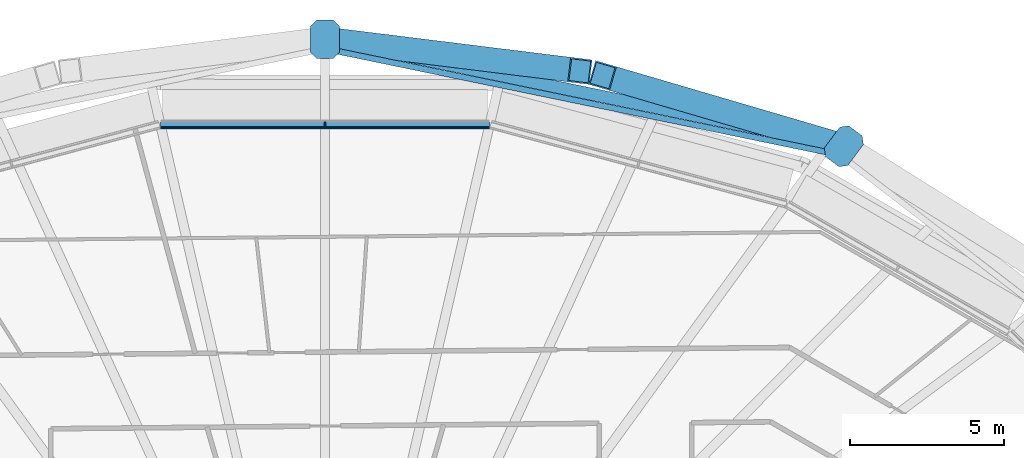
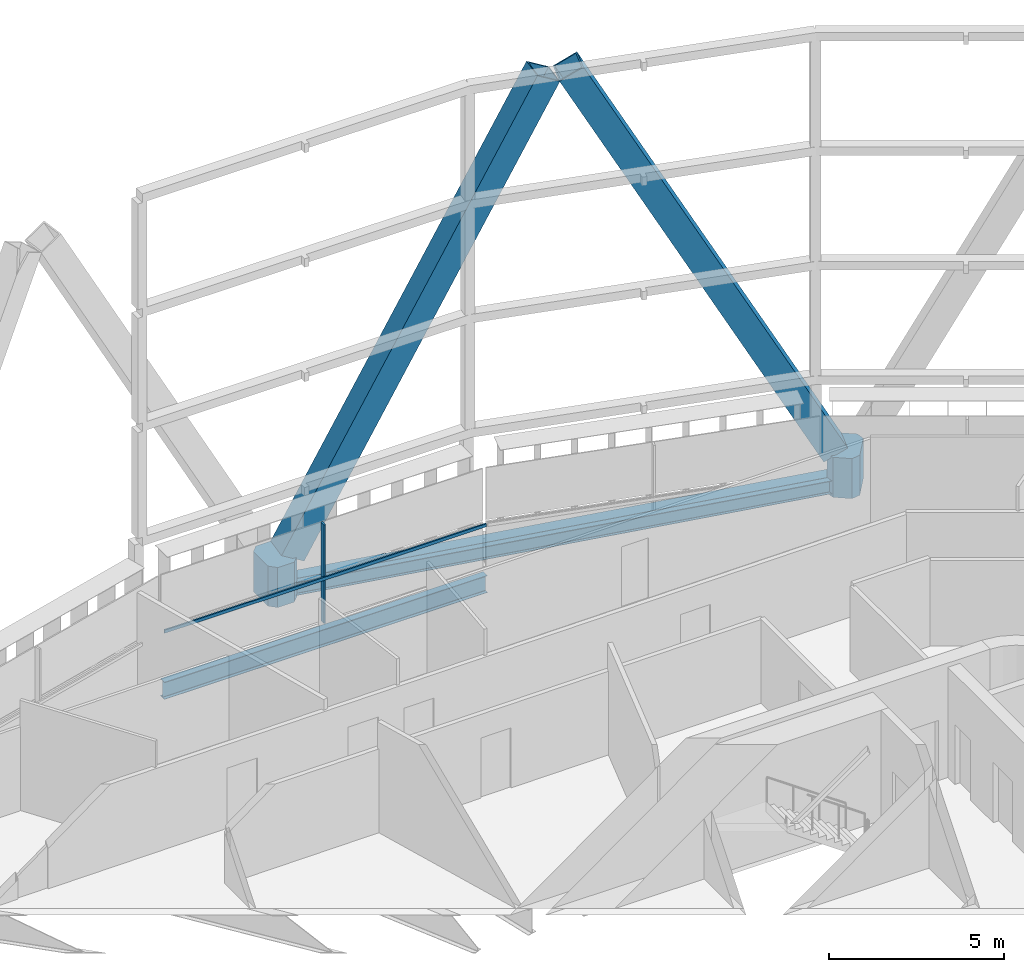
# One storey, part 9 of 25: 6 members, 3 beams, 1 element without a shape of its own.
"""IFC4 building model written with IfcOpenShell, lengths in metres."""

from ifc_helpers import new_model, si_unit, direction, frame, origin, origin_2d, place, context, subcontext, project, spatial, polyline, rectangle, hollow_rectangle, i_section, outline, extrude, material, layer, layer_set, material_profile, profile_set, type_object, element, aggregate, save


model = new_model("IFC4")

# Units and contexts
model_context = context("Model", 3, precision=1e-05, world=origin(), true_north=direction((0.0, 1.0)))
body_context = subcontext(model_context, "Body", "Model", "MODEL_VIEW")
ifc_project = project(units=[si_unit("LENGTHUNIT", "METRE"), si_unit("AREAUNIT", "SQUARE_METRE"), si_unit("VOLUMEUNIT", "CUBIC_METRE"), si_unit("PLANEANGLEUNIT", "RADIAN"), si_unit("MASSUNIT", "GRAM", prefix="KILO")], contexts=[model_context])

# Site, building, storey
site_placement = place(None, origin())
site = spatial("IfcSite", under=ifc_project, at=site_placement, CompositionType="ELEMENT")
building_placement = place(site_placement, origin())
building = spatial("IfcBuilding", under=site, at=building_placement, Name="Sahrelin Media Tower", CompositionType="ELEMENT")
storey_placement = place(building_placement, frame((0.0, 0.0, 181.60009765625)))
storey = spatial("IfcBuildingStorey", under=building, at=storey_placement, Name="L38", CompositionType="ELEMENT", Elevation=181.60009765625)

# Members
ifc_material_1 = material(Name="Steel S460", Category="steel")
ifc_material_profile_1 = material_profile(ifc_material_1, hollow_rectangle(XDim=0.800048828125, YDim=0.800048828125, WallThickness=0.044921875, at=origin_2d()), Name="Diagrid diagonal DG5")
ifc_profile_set_1 = profile_set([ifc_material_profile_1], Name="Steel S460")
member_type_1 = type_object("IfcMemberType", Name="Diagrid diagonal DG5", PredefinedType="BRACE", material=ifc_profile_set_1)
member_1_placement = place(storey_placement, frame((16.482666015625, 22.556396484375, 0.699951171875), z_axis=(-0.451607462442, 0.132407389178, 0.882337227571), x_axis=(-0.281348087818, -0.959605780246, 0.0)))
element("IfcMember", 1, at=member_1_placement, inside=storey, type_object=member_type_1, Name="Diagrid diagonal D08-04", PredefinedType="BRACE", context=body_context, shape_type="SweptSolid", body=[
    extrude(hollow_rectangle(XDim=0.800048828125, YDim=0.800048828125, WallThickness=0.044921875, at=origin_2d()), origin(), (0.0, 0.0, 1.0), 16.546875),
])
member_2_placement = place(storey_placement, frame((0.37841796875, 25.877685546875, 0.699951171875), z_axis=(0.474830701165, -0.058852752274, 0.878107145387), x_axis=(0.123003500545, 0.992406236807, 0.0)))
element("IfcMember", 2, at=member_2_placement, inside=storey, type_object=member_type_1, Name="Diagrid diagonal D08-05", PredefinedType="BRACE", context=body_context, shape_type="SweptSolid", body=[
    extrude(hollow_rectangle(XDim=0.800048828125, YDim=0.800048828125, WallThickness=0.044921875, at=origin_2d()), origin(), (0.0, 0.0, 1.0), 16.62646484375),
])
ifc_material_profile_2 = material_profile(ifc_material_1, outline(polyline([(0.425048828125, -0.47509765625), (0.625, -0.27490234375), (0.625, 0.27490234375), (0.425048828125, 0.47509765625), (-0.425048828125, 0.47509765625), (-0.625, 0.27490234375), (-0.625, -0.27490234375), (-0.425048828125, -0.47509765625), (0.425048828125, -0.47509765625)])), Name="Diagrid node block 1250")
ifc_profile_set_2 = profile_set([ifc_material_profile_2], Name="Steel S460")
member_type_2 = type_object("IfcMemberType", Name="Diagrid node block 1250", PredefinedType="USERDEFINED", material=ifc_profile_set_2)
for number, where, z_axis, x_axis, name in (
    (3, (16.8408203125, 22.451416015625, -0.7001953125), (0.0, 0.0, 1.0), (0.600051693363, 0.799961227368, 0.0), "Diagrid node N08-02"),
    (4, (0.0, 25.9248046875, -0.7001953125), (0.0, 0.0, 1.0), (0.0, 1.0, 0.0), "Diagrid node N08-03"),
):
    element("IfcMember", number, at=place(storey_placement, frame(where, z_axis=z_axis, x_axis=x_axis)), inside=storey, type_object=member_type_2, Name=name, ObjectType="NODE", PredefinedType="USERDEFINED", context=body_context, shape_type="SweptSolid", body=[
        extrude(outline(polyline([(0.425048828125, -0.47509765625), (0.625, -0.27490234375), (0.625, 0.27490234375), (0.425048828125, 0.47509765625), (-0.425048828125, 0.47509765625), (-0.625, 0.27490234375), (-0.625, -0.27490234375), (-0.425048828125, -0.47509765625), (0.425048828125, -0.47509765625)])), origin(), (0.0, 0.0, 1.0), 1.400146484375),
    ])

# Beams
ifc_material_profile_3 = material_profile(ifc_material_1, hollow_rectangle(XDim=0.39990234375, YDim=0.60009765625, WallThickness=0.030029296875, at=origin_2d()), Name="Diagrid ring beam RB1")
ifc_profile_set_3 = profile_set([ifc_material_profile_3], Name="Steel S460")
beam_type_1 = type_object("IfcBeamType", Name="Diagrid ring beam RB1", PredefinedType="BEAM", material=ifc_profile_set_3)
beam_1_placement = place(storey_placement, frame((16.8408203125, 22.451416015625, -0.4501953125), z_axis=(-0.979386216223, 0.201996632331, 0.0), x_axis=(-0.201996632331, -0.979386216223, 0.0)))
element("IfcBeam", 5, at=beam_1_placement, inside=storey, type_object=beam_type_1, Name="Diagrid ring beam RB08-02", PredefinedType="BEAM", context=body_context, shape_type="SweptSolid", body=[
    extrude(hollow_rectangle(XDim=0.39990234375, YDim=0.60009765625, WallThickness=0.030029296875, at=origin_2d()), origin(), (0.0, 0.0, 1.0), 17.1953125),
])
ifc_material_2 = material(Name="Steel S355", Category="steel")
ifc_material_profile_4 = material_profile(ifc_material_2, i_section(OverallWidth=0.2275390625, OverallDepth=0.6025390625, WebThickness=0.010498046875, FlangeThickness=0.014892578125, FilletRadius=0.0126953125, at=origin_2d()), Name="UB 610x229x101")
ifc_profile_set_4 = profile_set([ifc_material_profile_4], Name="Steel S355")
beam_type_2 = type_object("IfcBeamType", Name="Edge beam EB7", PredefinedType="BEAM", material=ifc_profile_set_4)
beam_2_placement = place(storey_placement, frame((-5.337158203125, 23.123779296875, -0.451416015625), z_axis=(1.0, 0.0, 0.0), x_axis=(0.0, 1.0, 0.0)))
element("IfcBeam", 6, at=beam_2_placement, inside=storey, type_object=beam_type_2, Name="Edge beam L38-19", PredefinedType="BEAM", context=body_context, shape_type="SweptSolid", body=[
    extrude(i_section(OverallWidth=0.2275390625, OverallDepth=0.6025390625, WebThickness=0.010498046875, FlangeThickness=0.014892578125, FilletRadius=0.0126953125, at=origin_2d()), origin(), (0.0, 0.0, 1.0), 10.67431640625),
])

# Curtain wall, member
ifc_material_3 = material(Name="Champagne anodised aluminium 6063-T6", Category="aluminium")
ifc_layer = layer(ifc_material_3, 0.14990234375)
ifc_layer_set = layer_set([ifc_layer], Name="Tower ribbon curtain wall")
curtain_wall_type = type_object("IfcCurtainWallType", Name="Tower ribbon curtain wall", PredefinedType="NOTDEFINED", material=ifc_layer_set)
curtain_wall_placement = place(storey_placement, frame((0.0, 23.273681640625, 0.0), z_axis=(0.0, 0.0, 1.0), x_axis=(1.0, 0.0, 0.0)))
curtain_wall = element("IfcCurtainWall", 7, at=curtain_wall_placement, inside=storey, type_object=curtain_wall_type, Name="L38:CW:L38-06", PredefinedType="NOTDEFINED")
ifc_material_profile_5 = material_profile(ifc_material_3, rectangle(XDim=0.06005859375, YDim=0.175048828125, at=origin_2d()), Name="Mullion 60x175")
ifc_profile_set_5 = profile_set([ifc_material_profile_5], Name="Champagne anodised aluminium 6063-T6")
member_type_3 = type_object("IfcMemberType", Name="Mullion 60x175 CW1B", PredefinedType="MULLION", material=ifc_profile_set_5)
member_3_placement = place(storey_placement, frame((0.0, 23.166259765625, 0.0), z_axis=(0.0, 0.0, 1.0), x_axis=(-1.0, 0.0, 0.0)))
member_3 = element("IfcMember", 8, at=member_3_placement, type_object=member_type_3, Name="L38:CWM:L38-06", PredefinedType="MULLION", context=body_context, shape_type="SweptSolid", body=[
    extrude(rectangle(XDim=0.06005859375, YDim=0.175048828125, at=origin_2d()), origin(), (0.0, 0.0, 1.0), 3.448486328125),
])

# Beam
ifc_material_profile_6 = material_profile(ifc_material_2, i_section(OverallWidth=0.1904296875, OverallDepth=0.45703125, WebThickness=0.009033203125, FlangeThickness=0.014404296875, FilletRadius=0.01025390625, at=origin_2d()), Name="UB 457x191x74")
ifc_profile_set_6 = profile_set([ifc_material_profile_6], Name="Steel S355")
beam_type_3 = type_object("IfcBeamType", Name="Tie chord TC5", PredefinedType="BEAM", material=ifc_profile_set_6)
beam_3_placement = place(storey_placement, frame((0.0, 25.6181640625, -0.378662109375), z_axis=(0.979388253216, -0.201986755663, 0.0), x_axis=(0.201986755663, 0.979388253216, 0.0)))
element("IfcBeam", 9, at=beam_3_placement, inside=storey, type_object=beam_type_3, Name="Tie chord L38-10", PredefinedType="BEAM", context=body_context, shape_type="SweptSolid", body=[
    extrude(i_section(OverallWidth=0.1904296875, OverallDepth=0.45703125, WebThickness=0.009033203125, FlangeThickness=0.014404296875, FilletRadius=0.01025390625, at=origin_2d()), origin(), (0.0, 0.0, 1.0), 17.064453125),
])

# Member
ifc_material_profile_7 = material_profile(ifc_material_3, rectangle(XDim=0.050048828125, YDim=0.110107421875, at=origin_2d()), Name="Transom 50x110")
ifc_profile_set_7 = profile_set([ifc_material_profile_7], Name="Champagne anodised aluminium 6063-T6")
member_type_4 = type_object("IfcMemberType", Name="Transom 50x110 CW1B", PredefinedType="USERDEFINED", material=ifc_profile_set_7)
member_4_placement = place(storey_placement, frame((5.3212890625, 23.0537109375, 1.599853515625), z_axis=(-1.0, 0.0, 0.0), x_axis=(0.0, -1.0, 0.0)))
member_4 = element("IfcMember", 10, at=member_4_placement, type_object=member_type_4, Name="L38:CWT:L38-06", ObjectType="TRANSOM", PredefinedType="USERDEFINED", context=body_context, shape_type="SweptSolid", body=[
    extrude(rectangle(XDim=0.050048828125, YDim=0.110107421875, at=origin_2d()), origin(), (0.0, 0.0, 1.0), 10.642578125),
])

aggregate(curtain_wall, [member_3, member_4])

save(model, "model.ifc")
